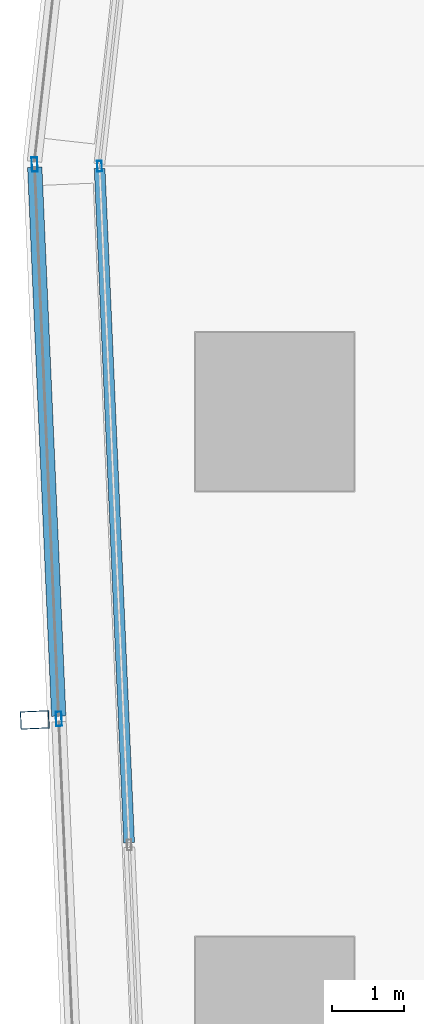
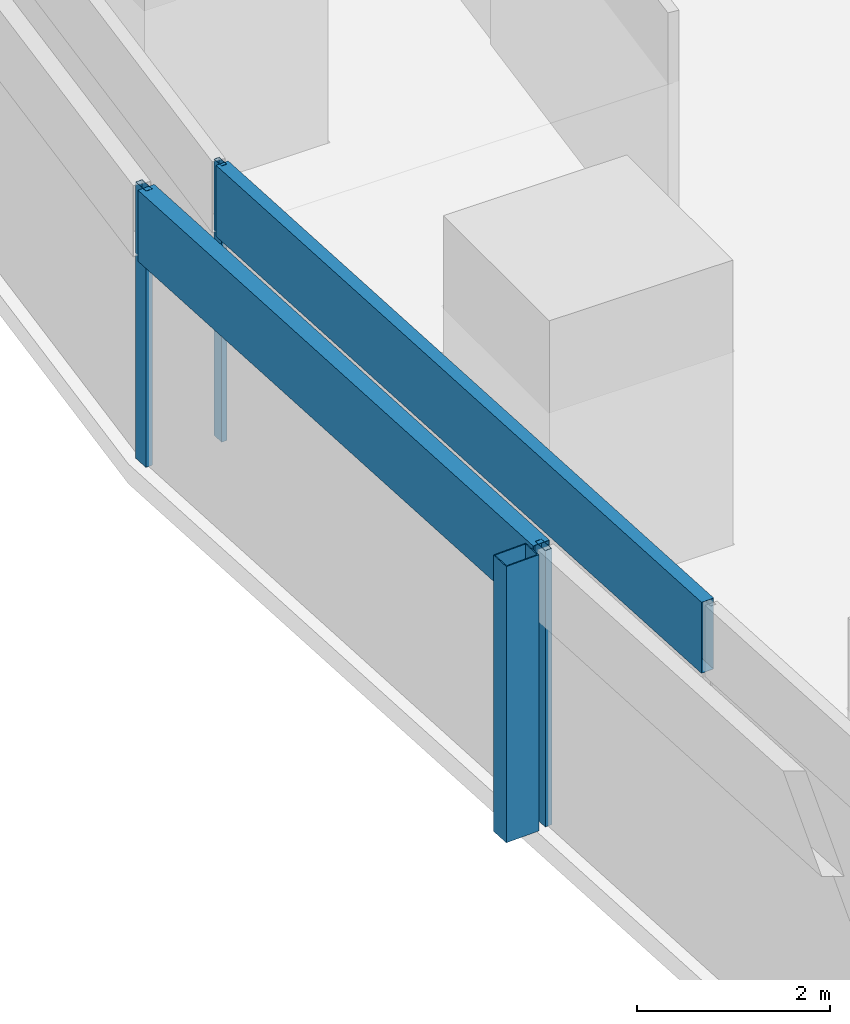
# One storey, part 14 of 44: 6 members, 2 elements without a shape of their own.
"""IFC4 building model written with IfcOpenShell, lengths in metres."""

import ifcopenshell
import ifcopenshell.guid

model = None  # the IFC model being written
_history = None  # IfcOwnerHistory: only IFC2X3 demands one
_inside = {}  # id of a spatial element -> (the spatial element, [elements in it])
_under = {}  # id of a project, library or spatial element -> (it, [spatial elements below it])
_declared = {}  # id of a project -> (the project, [libraries it declares])
_typed = {}  # id of a type object -> (the type object, [elements of that type])
_made_of = {}  # id of a material, layer set ... -> (it, [elements and type objects made of it])


def new_model(schema):
    """Start an empty IFC model of exactly this schema.

    Asked for "IFC4X3", IfcOpenShell would pick the latest addendum, in which some entities
    have other attributes; the version numbers below select the first issue.
    IFC2X3 requires an IfcOwnerHistory on every rooted entity: one is made here for all.
    """
    global model, _history
    if schema == "IFC4X3":
        model = ifcopenshell.file(schema_version=(4, 3, 0, 0))
    else:
        model = ifcopenshell.file(schema=schema)
    _inside.clear()
    _under.clear()
    _declared.clear()
    _typed.clear()
    _made_of.clear()
    _history = None
    if model.schema == "IFC2X3":
        org = make("IfcOrganization", Name="unknown")
        user = make(
            "IfcPersonAndOrganization",
            ThePerson=make("IfcPerson", FamilyName="unknown"),
            TheOrganization=org,
        )
        app = make(
            "IfcApplication",
            ApplicationDeveloper=org,
            Version="unknown",
            ApplicationFullName="unknown",
            ApplicationIdentifier="unknown",
        )
        _history = make(
            "IfcOwnerHistory",
            OwningUser=user,
            OwningApplication=app,
            ChangeAction="ADDED",
            CreationDate=0,
        )
    return model


def make(cls, **values):
    """One entity of the class cls with the attributes given. An attribute that is None is left unset."""
    return model.create_entity(
        cls, **{name: value for name, value in values.items() if value is not None}
    )


def rooted(cls, **values):
    """An entity with a GlobalId (a new one), such as an element, a storey or a relation."""
    return make(cls, GlobalId=ifcopenshell.guid.new(), OwnerHistory=_history, **values)


def si_unit(unit_type, name, prefix=None):
    """IfcSIUnit, for example si_unit("LENGTHUNIT", "METRE", prefix="MILLI")."""
    return make("IfcSIUnit", UnitType=unit_type, Prefix=prefix, Name=name)


def assignment(units):
    """IfcUnitAssignment: the units of a project."""
    return None if units is None else make("IfcUnitAssignment", Units=units)


def point(xyz):
    """IfcCartesianPoint."""
    return None if xyz is None else make("IfcCartesianPoint", Coordinates=xyz)


def direction(xyz):
    """IfcDirection."""
    return None if xyz is None else make("IfcDirection", DirectionRatios=xyz)


def frame(location, z_axis=None, x_axis=None):
    """IfcAxis2Placement3D, a coordinate frame: its origin and axes. An axis left out is left unset."""
    return make(
        "IfcAxis2Placement3D",
        Location=point(location),
        Axis=direction(z_axis),
        RefDirection=direction(x_axis),
    )


def frame_2d(location, x_axis=None):
    """IfcAxis2Placement2D, a coordinate frame in the plane: its origin and x axis."""
    return make(
        "IfcAxis2Placement2D", Location=point(location), RefDirection=direction(x_axis)
    )


def origin():
    """The frame at (0, 0, 0) with its axes left unset."""
    return frame((0.0, 0.0, 0.0))


def origin_2d():
    """The frame at (0, 0) in the plane with its x axis left unset."""
    return frame_2d((0.0, 0.0))


def place(relative_to, where):
    """IfcLocalPlacement: puts the frame where relative to a parent placement (None: the world)."""
    return make(
        "IfcLocalPlacement", PlacementRelTo=relative_to, RelativePlacement=where
    )


def context(
    kind, dimensions, precision=None, world=None, true_north=None, identifier=None
):
    """IfcGeometricRepresentationContext, for example the 3D "Model" context."""
    return make(
        "IfcGeometricRepresentationContext",
        ContextIdentifier=identifier,
        ContextType=kind,
        CoordinateSpaceDimension=dimensions,
        Precision=precision,
        WorldCoordinateSystem=world,
        TrueNorth=true_north,
    )


def subcontext(parent, identifier, kind, view, scale=None):
    """IfcGeometricRepresentationSubContext, for example "Body" below "Model"."""
    return make(
        "IfcGeometricRepresentationSubContext",
        ContextIdentifier=identifier,
        ContextType=kind,
        ParentContext=parent,
        TargetScale=scale,
        TargetView=view,
    )


def project(units=None, contexts=None):
    """IfcProject with its units and contexts."""
    return rooted(
        "IfcProject",
        Name="project",
        RepresentationContexts=contexts,
        UnitsInContext=assignment(units),
    )


def spatial(cls, under=None, at=None, **own):
    """A site, building, storey or space (cls), placed at a placement, below another one or the project."""
    s = rooted(cls, ObjectPlacement=at, **own)
    if under is not None:
        _under.setdefault(under.id(), (under, []))[1].append(s)
    return s


def profile(cls, at=None, kind="AREA", **sizes):
    """A parametric profile (cls). Its sizes go by their IFC names, for example OverallWidth=200.0."""
    return make(cls, ProfileType=kind, Position=at, **sizes)


def hollow_rectangle(**sizes):
    """IfcRectangleHollowProfileDef."""
    return profile("IfcRectangleHollowProfileDef", **sizes)


def extrude(swept, where, along, depth):
    """IfcExtrudedAreaSolid: the profile swept, set in the frame where, extruded along a direction by depth."""
    return make(
        "IfcExtrudedAreaSolid",
        SweptArea=swept,
        Position=where,
        ExtrudedDirection=direction(along),
        Depth=depth,
    )


def shape(context_of_items, identifier, shape_type, items):
    """IfcShapeRepresentation: the items that make up one representation, for example the "Body"."""
    return make(
        "IfcShapeRepresentation",
        ContextOfItems=context_of_items,
        RepresentationIdentifier=identifier,
        RepresentationType=shape_type,
        Items=items,
    )


def material(Name=None, Category=None):
    """IfcMaterial."""
    return make("IfcMaterial", Name=Name, Category=Category)


def material_profile(
    of_material, cross_section, Name=None, Category=None, Priority=None
):
    """IfcMaterialProfile: a cross section and its material."""
    return make(
        "IfcMaterialProfile",
        Name=Name,
        Material=of_material,
        Profile=cross_section,
        Priority=Priority,
        Category=Category,
    )


def profile_set(profiles, Name=None, composite=None):
    """IfcMaterialProfileSet."""
    return make(
        "IfcMaterialProfileSet",
        Name=Name,
        MaterialProfiles=profiles,
        CompositeProfile=composite,
    )


def made_of(thing, what):
    """Note that an element or type object is made of a material, layer set ...; save() writes the relation."""
    if what is not None:
        _made_of.setdefault(what.id(), (what, []))[1].append(thing)
    return thing


def type_object(cls, material=None, **own):
    """A type object (cls), such as IfcWallType, which elements share."""
    return made_of(rooted(cls, **own), material)


def element(
    cls,
    number,
    at=None,
    inside=None,
    cuts=None,
    type_object=None,
    material=None,
    context=None,
    identifier="Body",
    shape_type=None,
    held_by="IfcProductDefinitionShape",
    body=None,
    shapes=None,
    **own,
):
    """One element of the class cls, such as IfcWall. Its Tag is "e" and its number.

    at: its placement. inside: the storey or other place that contains it. cuts: it is an
    opening in that element (IfcRelVoidsElement). A single representation is given by context,
    identifier, shape_type and body (its items); several are given by shapes. held_by: the class
    of the entity that holds the representations. save() writes the other relations.
    """
    e = rooted(cls, Tag="e%d" % number, ObjectPlacement=at, **own)
    if body is not None:
        shapes = [shape(context, identifier, shape_type, body)]
    if shapes is not None:
        e.Representation = make(held_by, Representations=shapes)
    if inside is not None:
        _inside.setdefault(inside.id(), (inside, []))[1].append(e)
    if cuts is not None:
        rooted(
            "IfcRelVoidsElement", RelatingBuildingElement=cuts, RelatedOpeningElement=e
        )
    if type_object is not None:
        _typed.setdefault(type_object.id(), (type_object, []))[1].append(e)
    return made_of(e, material)


def aggregate(whole, parts):
    """IfcRelAggregates: a whole, such as a stair, and the parts it consists of."""
    return rooted("IfcRelAggregates", RelatingObject=whole, RelatedObjects=parts)


def save(model, path):
    """Write the relations noted so far, then the file.

    IfcRelAggregates (storeys below a building ...), IfcRelContainedInSpatialStructure (elements
    in a storey), IfcRelDefinesByType, IfcRelAssociatesMaterial and IfcRelDeclares: one each for
    every whole, place, type object, material and project.
    """
    for whole, parts in _under.values():
        aggregate(whole, parts)
    for where, things in _inside.values():
        rooted(
            "IfcRelContainedInSpatialStructure",
            RelatedElements=things,
            RelatingStructure=where,
        )
    for kind, things in _typed.values():
        rooted("IfcRelDefinesByType", RelatedObjects=things, RelatingType=kind)
    for what, things in _made_of.values():
        rooted("IfcRelAssociatesMaterial", RelatedObjects=things, RelatingMaterial=what)
    for by, libraries in _declared.values():
        rooted("IfcRelDeclares", RelatingContext=by, RelatedDefinitions=libraries)
    model.write(path)


model = new_model("IFC4")

# Units and contexts
model_context = context("Model", 3, precision=1e-05, world=origin(), true_north=direction((0.0, 1.0)))
body_context = subcontext(model_context, "Body", "Model", "MODEL_VIEW")
ifc_project = project(units=[si_unit("LENGTHUNIT", "METRE"), si_unit("AREAUNIT", "SQUARE_METRE"), si_unit("VOLUMEUNIT", "CUBIC_METRE"), si_unit("PLANEANGLEUNIT", "RADIAN"), si_unit("MASSUNIT", "GRAM", prefix="KILO")], contexts=[model_context])

# Site, building, storey
site_placement = place(None, origin())
site = spatial("IfcSite", under=ifc_project, at=site_placement, CompositionType="ELEMENT")
building_placement = place(site_placement, origin())
building = spatial("IfcBuilding", under=site, at=building_placement, Name="Rekha Terrace Tower", CompositionType="ELEMENT")
storey_placement = place(building_placement, frame((0.0, 0.0, 66.64990234375)))
storey = spatial("IfcBuildingStorey", under=building, at=storey_placement, Name="L16", CompositionType="ELEMENT", Elevation=66.64990234375)

# Curtain wall, member
ifc_material_1 = material(Name="Aluminium framing", Category="aluminium")
curtain_wall_type_1 = type_object("IfcCurtainWallType", Name="CW2 double skin outer glazing", PredefinedType="USERDEFINED", material=ifc_material_1)
curtain_wall_1_placement = place(storey_placement, origin())
curtain_wall_1 = element("IfcCurtainWall", 1, at=curtain_wall_1_placement, inside=storey, type_object=curtain_wall_type_1, Name="CW2 double skin outer glazing", ObjectType="DOUBLE SKIN OUTER GLAZING", PredefinedType="USERDEFINED")
ifc_material_2 = material(Name="Steel S355 with fluorocarbon finish", Category="steel")
ifc_material_profile_1 = material_profile(ifc_material_2, hollow_rectangle(XDim=0.25, YDim=0.39990234375, WallThickness=0.012451171875, at=origin_2d()), Name="RHS400x250x12.5")
ifc_profile_set_1 = profile_set([ifc_material_profile_1], Name="Steel S355 with fluorocarbon finish")
member_type_1 = type_object("IfcMemberType", Name="BL1 facade blade RHS 400 x 250", PredefinedType="USERDEFINED", material=ifc_profile_set_1)
member_1_placement = place(storey_placement, frame((5.064208984375, 37.715576171875, 0.0), z_axis=(0.0, 0.0, 1.0), x_axis=(0.04368215933, -0.999045478923, 0.0)))
member_1 = element("IfcMember", 2, at=member_1_placement, type_object=member_type_1, Name="Facade blade", ObjectType="FACADE BLADE", PredefinedType="USERDEFINED", context=body_context, shape_type="SweptSolid", body=[
    extrude(hollow_rectangle(XDim=0.25, YDim=0.39990234375, WallThickness=0.012451171875, at=origin_2d()), origin(), (0.0, 0.0, 1.0), 3.5),
])

# Curtain wall, members
curtain_wall_type_2 = type_object("IfcCurtainWallType", Name="CW1 double skin inner glazing", PredefinedType="USERDEFINED", material=ifc_material_1)
curtain_wall_2_placement = place(storey_placement, origin())
curtain_wall_2 = element("IfcCurtainWall", 3, at=curtain_wall_2_placement, inside=storey, type_object=curtain_wall_type_2, Name="CW1 double skin inner glazing", ObjectType="DOUBLE SKIN INNER GLAZING", PredefinedType="USERDEFINED")
ifc_material_3 = material(Name="Aluminium mullion section", Category="aluminium")
ifc_material_profile_2 = material_profile(ifc_material_3, hollow_rectangle(XDim=0.06494140625, YDim=0.14990234375, WallThickness=0.00390625, at=origin_2d()), Name="AL RHS 65x150")
ifc_profile_set_2 = profile_set([ifc_material_profile_2], Name="Aluminium mullion section")
member_type_2 = type_object("IfcMemberType", Name="CW1 mullion RHS 65 x 150", PredefinedType="MULLION", material=ifc_profile_set_2)
member_2_placement = place(storey_placement, frame((5.964111328125, 45.4111328125, 0.0), z_axis=(0.0, 0.0, 1.0), x_axis=(0.999045462133, 0.043682543337, 0.0)))
member_2 = element("IfcMember", 4, at=member_2_placement, type_object=member_type_2, Name="CW1 mullion 1", PredefinedType="MULLION", context=body_context, shape_type="SweptSolid", body=[
    extrude(hollow_rectangle(XDim=0.06494140625, YDim=0.14990234375, WallThickness=0.00390625, at=origin_2d()), origin(), (0.0, 0.0, 1.0), 3.5),
])
ifc_material_4 = material(Name="Insulated aluminium spandrel box", Category="aluminium")
ifc_material_profile_3 = material_profile(ifc_material_4, hollow_rectangle(XDim=0.14990234375, YDim=0.89990234375, WallThickness=0.0029296875, at=origin_2d()), Name="AL SPANDREL BOX 150x900")
ifc_profile_set_3 = profile_set([ifc_material_profile_3], Name="Insulated aluminium spandrel box")
member_type_3 = type_object("IfcMemberType", Name="CW1 spandrel transom 150 x 900", PredefinedType="USERDEFINED", material=ifc_profile_set_3)
member_3_placement = place(storey_placement, frame((5.96533203125, 45.378662109375, 3.050048828125), z_axis=(0.043689187094, -0.999045171617, 0.0), x_axis=(0.999045171617, 0.043689187094, 0.0)))
member_3 = element("IfcMember", 5, at=member_3_placement, type_object=member_type_3, Name="CW1 spandrel transom 1", ObjectType="TRANSOM", PredefinedType="USERDEFINED", context=body_context, shape_type="SweptSolid", body=[
    extrude(hollow_rectangle(XDim=0.14990234375, YDim=0.89990234375, WallThickness=0.0029296875, at=origin_2d()), origin(), (0.0, 0.0, 1.0), 9.376953125),
])
aggregate(curtain_wall_2, [member_2, member_3])

# Member
ifc_material_profile_4 = material_profile(ifc_material_3, hollow_rectangle(XDim=0.080078125, YDim=0.199951171875, WallThickness=0.00390625, at=origin_2d()), Name="AL RHS 80x200")
ifc_profile_set_4 = profile_set([ifc_material_profile_4], Name="Aluminium mullion section")
member_type_4 = type_object("IfcMemberType", Name="CW2 mullion RHS 80 x 200", PredefinedType="MULLION", material=ifc_profile_set_4)
member_4_placement = place(storey_placement, frame((5.062255859375, 45.4345703125, 0.0), z_axis=(0.0, 0.0, 1.0), x_axis=(0.999045462131, 0.043682543372, 0.0)))
member_4 = element("IfcMember", 6, at=member_4_placement, type_object=member_type_4, Name="CW2 mullion 1", PredefinedType="MULLION", context=body_context, shape_type="SweptSolid", body=[
    extrude(hollow_rectangle(XDim=0.080078125, YDim=0.199951171875, WallThickness=0.00390625, at=origin_2d()), origin(), (0.0, 0.0, 1.0), 3.5),
])

member_5_placement = place(storey_placement, frame((5.39892578125, 37.730224609375, 0.0), z_axis=(0.0, 0.0, 1.0), x_axis=(0.999045462131, 0.043682543372, 0.0)))
member_5 = element("IfcMember", 7, at=member_5_placement, type_object=member_type_4, Name="CW2 mullion 2", PredefinedType="MULLION", context=body_context, shape_type="SweptSolid", body=[
    extrude(hollow_rectangle(XDim=0.080078125, YDim=0.199951171875, WallThickness=0.00390625, at=origin_2d()), origin(), (0.0, 0.0, 1.0), 3.5),
])

ifc_material_profile_5 = material_profile(ifc_material_4, hollow_rectangle(XDim=0.199951171875, YDim=0.89990234375, WallThickness=0.0029296875, at=origin_2d()), Name="AL SPANDREL BOX 200x900")
ifc_profile_set_5 = profile_set([ifc_material_profile_5], Name="Insulated aluminium spandrel box")
member_type_5 = type_object("IfcMemberType", Name="CW2 spandrel transom 200 x 900", PredefinedType="USERDEFINED", material=ifc_profile_set_5)
member_6_placement = place(storey_placement, frame((5.06396484375, 45.39453125, 3.050048828125), z_axis=(0.043666283256, -0.99904617296, 0.0), x_axis=(0.99904617296, 0.043666283256, 0.0)))
member_6 = element("IfcMember", 8, at=member_6_placement, type_object=member_type_5, Name="CW2 spandrel transom 1", ObjectType="TRANSOM", PredefinedType="USERDEFINED", context=body_context, shape_type="SweptSolid", body=[
    extrude(hollow_rectangle(XDim=0.199951171875, YDim=0.89990234375, WallThickness=0.0029296875, at=origin_2d()), origin(), (0.0, 0.0, 1.0), 7.6318359375),
])

aggregate(curtain_wall_1, [member_4, member_5, member_6, member_1])

save(model, "model.ifc")
